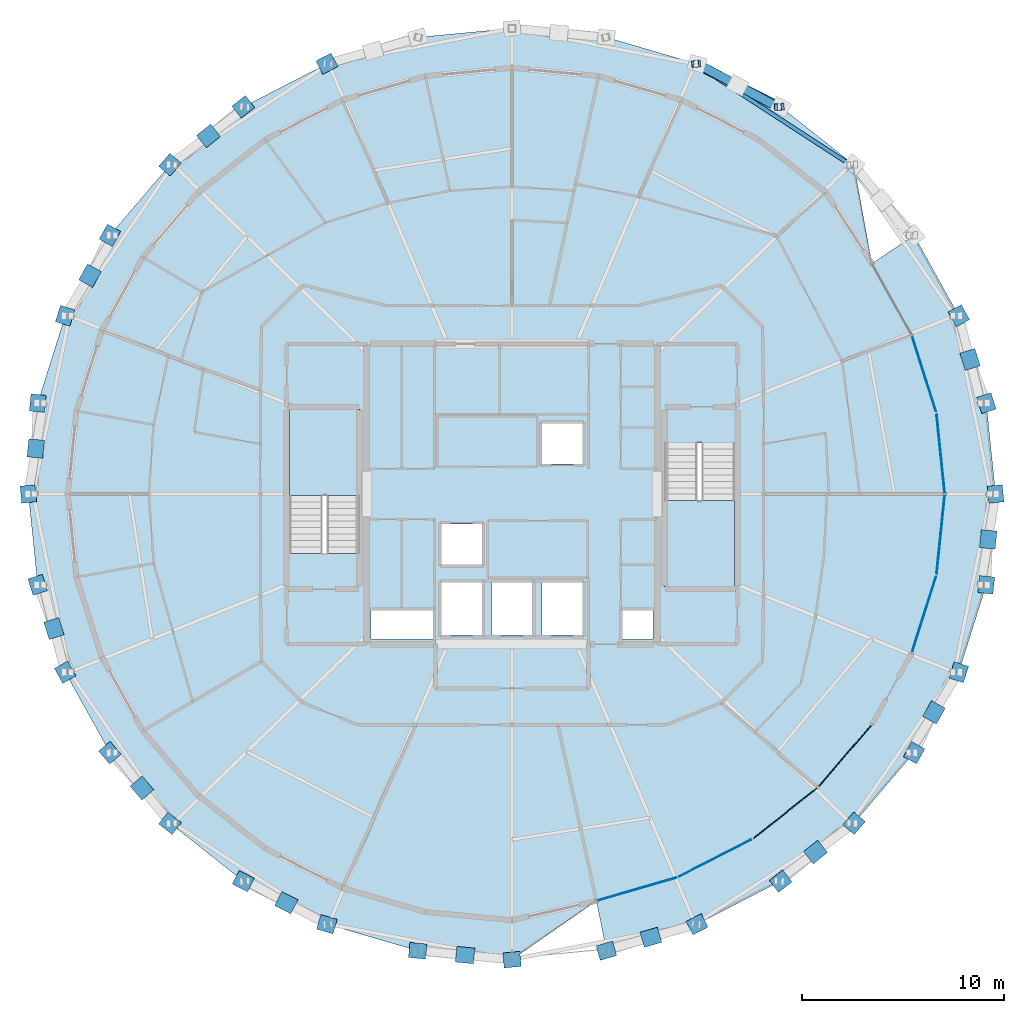
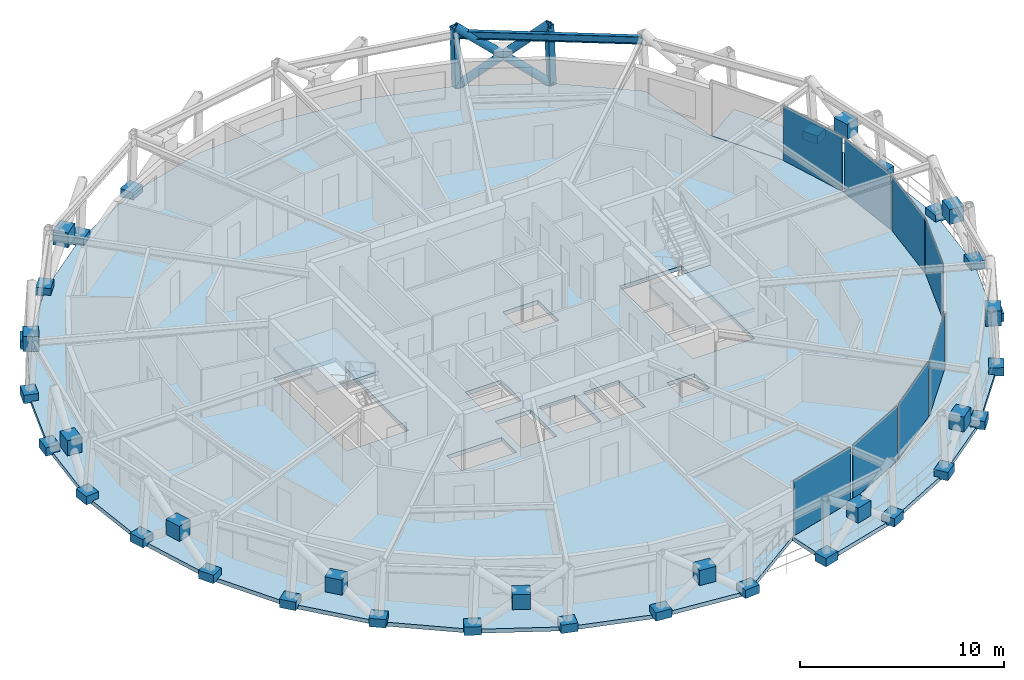
# One storey, part 10 of 17: 45 plates, 5 members, 4 slabs, 1 beam, 4 elements without a shape of their own.
"""IFC4 building model written with IfcOpenShell, lengths in metres."""

from ifc_helpers import new_model, si_unit, direction, frame, origin, origin_2d, place, context, subcontext, project, spatial, polyline, rectangle, hollow_rectangle, hollow_circle, i_section, outline, extrude, material, layer, layer_set, material_profile, profile_set, type_object, element, aggregate, save


model = new_model("IFC4")

# Units and contexts
model_context = context("Model", 3, precision=1e-05, world=origin(), true_north=direction((0.0, 1.0)))
body_context = subcontext(model_context, "Body", "Model", "MODEL_VIEW")
ifc_project = project(units=[si_unit("LENGTHUNIT", "METRE"), si_unit("AREAUNIT", "SQUARE_METRE"), si_unit("VOLUMEUNIT", "CUBIC_METRE"), si_unit("PLANEANGLEUNIT", "RADIAN"), si_unit("MASSUNIT", "GRAM", prefix="KILO")], contexts=[model_context])

# Site, building, storey
site_placement = place(None, origin())
site = spatial("IfcSite", under=ifc_project, at=site_placement, CompositionType="ELEMENT")
building_placement = place(site_placement, origin())
building = spatial("IfcBuilding", under=site, at=building_placement, Name="Veldorina Hangang Commons", CompositionType="ELEMENT")
storey_placement = place(building_placement, frame((0.0, 0.0, 236.39990234375)))
storey = spatial("IfcBuildingStorey", under=building, at=storey_placement, Name="L61", CompositionType="ELEMENT", Elevation=236.39990234375)

# Beam
ifc_material_1 = material(Name="Steel SM355-TMC", Category="steel")
ifc_material_profile_1 = material_profile(ifc_material_1, i_section(OverallWidth=0.199951171875, OverallDepth=0.449951171875, WebThickness=0.009033203125, FlangeThickness=0.013916015625, FilletRadius=0.01611328125, at=origin_2d()), Name="H-450x200x9x14")
ifc_profile_set_1 = profile_set([ifc_material_profile_1], Name="Steel SM355-TMC")
beam_type = type_object("IfcBeamType", Name="BM-RB450", PredefinedType="BEAM", material=ifc_profile_set_1)
beam_placement = place(storey_placement, frame((48.801025390625, 40.3310546875, 3.135009765625), z_axis=(-0.838643218797, 0.544681146696, 0.0), x_axis=(-0.544681146696, -0.838643218797, 0.0)))
element("IfcBeam", 1, at=beam_placement, inside=storey, type_object=beam_type, Name="L61 perimeter hoop ring beam 04", PredefinedType="BEAM", context=body_context, shape_type="SweptSolid", body=[
    extrude(i_section(OverallWidth=0.199951171875, OverallDepth=0.449951171875, WebThickness=0.009033203125, FlangeThickness=0.013916015625, FilletRadius=0.01611328125, at=origin_2d()), origin(), (0.0, 0.0, 1.0), 9.19140625),
])

# Members
ifc_material_profile_2 = material_profile(ifc_material_1, hollow_circle(Radius=0.22509765625, WallThickness=0.02197265625, at=origin_2d()), Name="CHS-450x22")
ifc_profile_set_2 = profile_set([ifc_material_profile_2], Name="Steel SM355-TMC")
member_type_1 = type_object("IfcMemberType", Name="DG-CHS450", PredefinedType="BRACE", material=ifc_profile_set_2)
member_1_placement = place(storey_placement, frame((45.33154296875, 43.2119140625, 0.0), z_axis=(-0.713137176084, 0.356220556464, 0.60377337076), x_axis=(-0.446864288165, -0.894601759423, 0.0)))
element("IfcMember", 2, at=member_1_placement, inside=storey, type_object=member_type_1, Name="L61 continuous perimeter diagrid brace 05", PredefinedType="BRACE", context=body_context, shape_type="SweptSolid", body=[
    extrude(hollow_circle(Radius=0.22509765625, WallThickness=0.02197265625, at=origin_2d()), origin(), (0.0, 0.0, 1.0), 5.962646484375),
])
member_2_placement = place(storey_placement, frame((41.18310546875, 45.347412109375, 0.0), z_axis=(0.691856889502, -0.367328676049, 0.621613777358), x_axis=(0.468935879767, 0.8832322122, 0.0)))
element("IfcMember", 3, at=member_2_placement, inside=storey, type_object=member_type_1, Name="L61 split perimeter diagrid lower brace 06", PredefinedType="BRACE", context=body_context, shape_type="SweptSolid", body=[
    extrude(hollow_circle(Radius=0.22509765625, WallThickness=0.02197265625, at=origin_2d()), origin(), (0.0, 0.0, 1.0), 2.9091796875),
])
member_3_placement = place(storey_placement, frame((43.19580078125, 44.27880859375, 1.808349609375), z_axis=(0.688640194548, -0.37353564906, 0.621486766821), x_axis=(0.476798431167, 0.879012659771, 0.0)))
element("IfcMember", 4, at=member_3_placement, inside=storey, type_object=member_type_1, Name="L61 split perimeter diagrid upper brace 06", PredefinedType="BRACE", context=body_context, shape_type="SweptSolid", body=[
    extrude(hollow_circle(Radius=0.22509765625, WallThickness=0.02197265625, at=origin_2d()), origin(), (0.0, 0.0, 1.0), 2.883056640625),
])
ifc_material_profile_3 = material_profile(ifc_material_1, hollow_rectangle(XDim=0.35009765625, YDim=0.35009765625, WallThickness=0.01611328125, at=origin_2d()), Name="SHS-350x350x16")
ifc_profile_set_3 = profile_set([ifc_material_profile_3], Name="Steel SM355-TMC")
member_type_2 = type_object("IfcMemberType", Name="STR-SHS350", PredefinedType="STRUT", material=ifc_profile_set_3)
member_4_placement = place(storey_placement, frame((45.33154296875, 43.2119140625, 0.0), z_axis=(-0.041737477683, -0.002777981469, 0.999124749856), x_axis=(0.066411501771, -0.997792319289, 0.0)))
element("IfcMember", 5, at=member_4_placement, inside=storey, type_object=member_type_2, Name="L61 perimeter ring node post 05", PredefinedType="STRUT", context=body_context, shape_type="SweptSolid", body=[
    extrude(hollow_rectangle(XDim=0.35009765625, YDim=0.35009765625, WallThickness=0.01611328125, at=origin_2d()), origin(), (0.0, 0.0, 1.0), 3.603271484375),
])
member_5_placement = place(storey_placement, frame((41.18310546875, 45.347412109375, 0.0), z_axis=(-0.028809265977, -0.003185965885, 0.999579849644), x_axis=(0.109918141714, -0.993940643158, 0.0)))
element("IfcMember", 6, at=member_5_placement, inside=storey, type_object=member_type_2, Name="L61 perimeter ring node post 06", PredefinedType="STRUT", context=body_context, shape_type="SweptSolid", body=[
    extrude(hollow_rectangle(XDim=0.35009765625, YDim=0.35009765625, WallThickness=0.01611328125, at=origin_2d()), origin(), (0.0, 0.0, 1.0), 3.6015625),
])

# Curtain wall, plates
ifc_material_2 = material(Name="Glass Low-E Selective", Category="glass")
ifc_layer_1 = layer(ifc_material_2, 0.179931640625)
ifc_layer_set_1 = layer_set([ifc_layer_1], Name="Glass Low-E Selective")
curtain_wall_type = type_object("IfcCurtainWallType", Name="CW-SYS-Z3", PredefinedType="NOTDEFINED", material=ifc_layer_set_1)
curtain_wall_1_placement = place(storey_placement, origin())
curtain_wall_1 = element("IfcCurtainWall", 7, at=curtain_wall_1_placement, inside=storey, type_object=curtain_wall_type, Name="L61 unitised curtain wall CW-L61-R1", PredefinedType="NOTDEFINED")
ifc_material_3 = material(Name="Glass Low-E Triple IGU", Category="glass")
ifc_layer_2 = layer(ifc_material_3, 0.0400390625)
ifc_layer_set_2 = layer_set([ifc_layer_2], Name="Glass Low-E Triple IGU")
plate_type_1 = type_object("IfcPlateType", Name="CW-PNL-VIS", PredefinedType="CURTAIN_PANEL", material=ifc_layer_set_2)
plate_1_placement = place(storey_placement, frame((38.2041015625, 4.395263671875, 0.01513671875), z_axis=(0.0, 0.0, 1.0), x_axis=(0.960235232855, 0.279192223358, 0.0)))
plate_1 = element("IfcPlate", 8, at=plate_1_placement, type_object=plate_type_1, Name="CW-L61-R1 facet 1 glazed vision panel", PredefinedType="CURTAIN_PANEL", context=body_context, shape_type="SweptSolid", body=[
    extrude(rectangle(XDim=4.015625, YDim=0.0400390625, at=origin_2d()), origin(), (0.0, 0.0, 1.0), 3.2900390625),
])
plate_2_placement = place(storey_placement, frame((42.0751953125, 5.93212890625, 0.01513671875), z_axis=(0.0, 0.0, 1.0), x_axis=(0.889982118595, 0.455995426053, 0.0)))
plate_2 = element("IfcPlate", 9, at=plate_2_placement, type_object=plate_type_1, Name="CW-L61-R1 facet 2 glazed vision panel", PredefinedType="CURTAIN_PANEL", context=body_context, shape_type="SweptSolid", body=[
    extrude(rectangle(XDim=3.991943359375, YDim=0.0400390625, at=origin_2d()), origin(), (0.0, 0.0, 1.0), 3.2900390625),
])
plate_3_placement = place(storey_placement, frame((45.558837890625, 8.163330078125, 0.01513671875), z_axis=(0.0, 0.0, 1.0), x_axis=(0.785954022843, 0.618284945617, 0.0)))
plate_3 = element("IfcPlate", 10, at=plate_3_placement, type_object=plate_type_1, Name="CW-L61-R1 facet 3 glazed vision panel", PredefinedType="CURTAIN_PANEL", context=body_context, shape_type="SweptSolid", body=[
    extrude(rectangle(XDim=3.960693359375, YDim=0.0400390625, at=origin_2d()), origin(), (0.0, 0.0, 1.0), 3.2900390625),
])
plate_4_placement = place(storey_placement, frame((48.521484375, 11.003173828125, 0.01513671875), z_axis=(0.0, 0.0, 1.0), x_axis=(0.650363316722, 0.75962329892, 0.0)))
plate_4 = element("IfcPlate", 11, at=plate_4_placement, type_object=plate_type_1, Name="CW-L61-R1 facet 4 glazed vision panel", PredefinedType="CURTAIN_PANEL", context=body_context, shape_type="SweptSolid", body=[
    extrude(rectangle(XDim=3.9267578125, YDim=0.0400390625, at=origin_2d()), origin(), (0.0, 0.0, 1.0), 3.2900390625),
])
aggregate(curtain_wall_1, [plate_1, plate_2, plate_3, plate_4])

curtain_wall_2_placement = place(storey_placement, origin())
curtain_wall_2 = element("IfcCurtainWall", 12, at=curtain_wall_2_placement, inside=storey, type_object=curtain_wall_type, Name="L61 unitised curtain wall CW-L61-R2", PredefinedType="NOTDEFINED")
plate_5_placement = place(storey_placement, frame((52.45263671875, 18.052978515625, 0.01513671875), z_axis=(0.0, 0.0, 1.0), x_axis=(0.301704364497, 0.953401529495, 0.0)))
plate_5 = element("IfcPlate", 13, at=plate_5_placement, type_object=plate_type_1, Name="CW-L61-R2 facet 1 glazed vision panel", PredefinedType="CURTAIN_PANEL", context=body_context, shape_type="SweptSolid", body=[
    extrude(rectangle(XDim=3.87060546875, YDim=0.0400390625, at=origin_2d()), origin(), (0.0, 0.0, 1.0), 3.2900390625),
])
plate_6_placement = place(storey_placement, frame((53.27001953125, 21.991943359375, 0.01513671875), z_axis=(0.0, 0.0, 1.0), x_axis=(0.102219612074, 0.994761856379, 0.0)))
plate_6 = element("IfcPlate", 14, at=plate_6_placement, type_object=plate_type_1, Name="CW-L61-R2 facet 2 glazed vision panel", PredefinedType="CURTAIN_PANEL", context=body_context, shape_type="SweptSolid", body=[
    extrude(rectangle(XDim=3.857177734375, YDim=0.0400390625, at=origin_2d()), origin(), (0.0, 0.0, 1.0), 3.2900390625),
])
plate_7_placement = place(storey_placement, frame((53.27001953125, 26.008056640625, 0.01513671875), z_axis=(0.0, 0.0, 1.0), x_axis=(-0.102219612074, 0.994761856379, 0.0)))
plate_7 = element("IfcPlate", 15, at=plate_7_placement, type_object=plate_type_1, Name="CW-L61-R2 facet 3 glazed vision panel", PredefinedType="CURTAIN_PANEL", context=body_context, shape_type="SweptSolid", body=[
    extrude(rectangle(XDim=3.857177734375, YDim=0.0400390625, at=origin_2d()), origin(), (0.0, 0.0, 1.0), 3.2900390625),
])
plate_8_placement = place(storey_placement, frame((52.45263671875, 29.947021484375, 0.01513671875), z_axis=(0.0, 0.0, 1.0), x_axis=(-0.301704364497, 0.953401529495, 0.0)))
plate_8 = element("IfcPlate", 16, at=plate_8_placement, type_object=plate_type_1, Name="CW-L61-R2 facet 4 glazed vision panel", PredefinedType="CURTAIN_PANEL", context=body_context, shape_type="SweptSolid", body=[
    extrude(rectangle(XDim=3.87060546875, YDim=0.0400390625, at=origin_2d()), origin(), (0.0, 0.0, 1.0), 3.2900390625),
])
aggregate(curtain_wall_2, [plate_5, plate_6, plate_7, plate_8])

# Plates
ifc_material_4 = material(Name="Steel SM460-TMC", Category="steel")
ifc_layer_3 = layer(ifc_material_4, 0.035888671875)
ifc_layer_set_3 = layer_set([ifc_layer_3], Name="Steel SM460-TMC")
plate_type_2 = type_object("IfcPlateType", Name="PL-STAR-36", PredefinedType="USERDEFINED", material=ifc_layer_set_3)
for number, where, z_axis, x_axis, name in (
    (17, (55.996337890625, 24.0, -0.08984375), (0.0, 0.0, 1.0), (-0.101750830261, 0.994809915784, 0.0), "L61 diagrid star-node gusset plate 00"),
    (18, (55.53515625, 28.5078125, -0.08984375), (0.0, 0.0, 1.0), (-0.300472753517, 0.953790398565, 0.0), "L61 diagrid star-node gusset plate 01"),
):
    element("IfcPlate", number, at=place(storey_placement, frame(where, z_axis=z_axis, x_axis=x_axis)), inside=storey, type_object=plate_type_2, Name=name, ObjectType="GUSSET PLATE", PredefinedType="USERDEFINED", context=body_context, shape_type="SweptSolid", body=[
        extrude(rectangle(XDim=0.85009765625, YDim=0.75, at=origin_2d()), origin(), (0.0, 0.0, 1.0), 0.5),
    ])
plate_9_placement = place(storey_placement, frame((54.726806640625, 30.67431640625, 1.3515625), z_axis=(0.0, 0.0, 1.0), x_axis=(-0.300472753517, 0.953790398565, 0.0)))
element("IfcPlate", 19, at=plate_9_placement, inside=storey, type_object=plate_type_2, Name="L61 diagrid X-crossing star-node gusset plate 01", ObjectType="GUSSET PLATE", PredefinedType="USERDEFINED", context=body_context, shape_type="SweptSolid", body=[
    extrude(rectangle(XDim=0.89990234375, YDim=0.780029296875, at=origin_2d()), origin(), (0.0, 0.0, 1.0), 0.89990234375),
])
for number, where, z_axis, x_axis, name in (
    (20, (54.169677734375, 32.84228515625, -0.08984375), (0.0, 0.0, 1.0), (-0.485343804534, 0.874323390629, 0.0), "L61 diagrid star-node gusset plate 02"),
    (21, (22.81689453125, 45.347412109375, -0.08984375), (0.0, 0.0, 1.0), (-0.889136982129, -0.457641155285, 0.0), "L61 diagrid star-node gusset plate 10"),
    (22, (18.66845703125, 43.2119140625, -0.08984375), (0.0, 0.0, 1.0), (-0.784592443852, -0.620011852347, 0.0), "L61 diagrid star-node gusset plate 11"),
):
    element("IfcPlate", number, at=place(storey_placement, frame(where, z_axis=z_axis, x_axis=x_axis)), inside=storey, type_object=plate_type_2, Name=name, ObjectType="GUSSET PLATE", PredefinedType="USERDEFINED", context=body_context, shape_type="SweptSolid", body=[
        extrude(rectangle(XDim=0.85009765625, YDim=0.75, at=origin_2d()), origin(), (0.0, 0.0, 1.0), 0.5),
    ])
plate_10_placement = place(storey_placement, frame((16.939697265625, 41.765869140625, 1.3564453125), z_axis=(0.0, 0.0, 1.0), x_axis=(-0.784592443852, -0.620011852347, 0.0)))
element("IfcPlate", 23, at=plate_10_placement, inside=storey, type_object=plate_type_2, Name="L61 diagrid X-crossing star-node gusset plate 11", ObjectType="GUSSET PLATE", PredefinedType="USERDEFINED", context=body_context, shape_type="SweptSolid", body=[
    extrude(rectangle(XDim=0.89990234375, YDim=0.780029296875, at=origin_2d()), origin(), (0.0, 0.0, 1.0), 0.89990234375),
])
for number, where, z_axis, x_axis, name in (
    (24, (15.031982421875, 40.33837890625, -0.08984375), (0.0, 0.0, 1.0), (-0.648664680463, -0.761074327724, 0.0), "L61 diagrid star-node gusset plate 12"),
    (25, (12.0478515625, 36.837158203125, -0.08984375), (0.0, 0.0, 1.0), (-0.485343804534, -0.874323390629, 0.0), "L61 diagrid star-node gusset plate 13"),
):
    element("IfcPlate", number, at=place(storey_placement, frame(where, z_axis=z_axis, x_axis=x_axis)), inside=storey, type_object=plate_type_2, Name=name, ObjectType="GUSSET PLATE", PredefinedType="USERDEFINED", context=body_context, shape_type="SweptSolid", body=[
        extrude(rectangle(XDim=0.85009765625, YDim=0.75, at=origin_2d()), origin(), (0.0, 0.0, 1.0), 0.5),
    ])
plate_11_placement = place(storey_placement, frame((11.062744140625, 34.834228515625, 1.35302734375), z_axis=(0.0, 0.0, 1.0), x_axis=(-0.485343804534, -0.874323390629, 0.0)))
element("IfcPlate", 26, at=plate_11_placement, inside=storey, type_object=plate_type_2, Name="L61 diagrid X-crossing star-node gusset plate 13", ObjectType="GUSSET PLATE", PredefinedType="USERDEFINED", context=body_context, shape_type="SweptSolid", body=[
    extrude(rectangle(XDim=0.89990234375, YDim=0.780029296875, at=origin_2d()), origin(), (0.0, 0.0, 1.0), 0.89990234375),
])
for number, where, z_axis, x_axis, name in (
    (27, (9.830322265625, 32.84228515625, -0.08984375), (0.0, 0.0, 1.0), (-0.300472753517, -0.953790398565, 0.0), "L61 diagrid star-node gusset plate 14"),
    (28, (8.46484375, 28.5078125, -0.08984375), (0.0, 0.0, 1.0), (-0.101750830261, -0.994809915784, 0.0), "L61 diagrid star-node gusset plate 15"),
):
    element("IfcPlate", number, at=place(storey_placement, frame(where, z_axis=z_axis, x_axis=x_axis)), inside=storey, type_object=plate_type_2, Name=name, ObjectType="GUSSET PLATE", PredefinedType="USERDEFINED", context=body_context, shape_type="SweptSolid", body=[
        extrude(rectangle(XDim=0.85009765625, YDim=0.75, at=origin_2d()), origin(), (0.0, 0.0, 1.0), 0.5),
    ])
plate_12_placement = place(storey_placement, frame((8.36962890625, 26.253173828125, 1.350830078125), z_axis=(0.0, 0.0, 1.0), x_axis=(-0.101750830261, -0.994809915784, 0.0)))
element("IfcPlate", 29, at=plate_12_placement, inside=storey, type_object=plate_type_2, Name="L61 diagrid X-crossing star-node gusset plate 15", ObjectType="GUSSET PLATE", PredefinedType="USERDEFINED", context=body_context, shape_type="SweptSolid", body=[
    extrude(rectangle(XDim=0.89990234375, YDim=0.780029296875, at=origin_2d()), origin(), (0.0, 0.0, 1.0), 0.89990234375),
])
for number, where, z_axis, x_axis, name in (
    (30, (8.003662109375, 24.0, -0.08984375), (0.0, 0.0, 1.0), (0.101750830261, -0.994809915784, 0.0), "L61 diagrid star-node gusset plate 16"),
    (31, (8.46484375, 19.4921875, -0.08984375), (0.0, 0.0, 1.0), (0.300472753517, -0.953790398565, 0.0), "L61 diagrid star-node gusset plate 17"),
):
    element("IfcPlate", number, at=place(storey_placement, frame(where, z_axis=z_axis, x_axis=x_axis)), inside=storey, type_object=plate_type_2, Name=name, ObjectType="GUSSET PLATE", PredefinedType="USERDEFINED", context=body_context, shape_type="SweptSolid", body=[
        extrude(rectangle(XDim=0.85009765625, YDim=0.75, at=origin_2d()), origin(), (0.0, 0.0, 1.0), 0.5),
    ])
plate_13_placement = place(storey_placement, frame((9.273193359375, 17.32568359375, 1.3515625), z_axis=(0.0, 0.0, 1.0), x_axis=(0.300472753517, -0.953790398565, 0.0)))
element("IfcPlate", 32, at=plate_13_placement, inside=storey, type_object=plate_type_2, Name="L61 diagrid X-crossing star-node gusset plate 17", ObjectType="GUSSET PLATE", PredefinedType="USERDEFINED", context=body_context, shape_type="SweptSolid", body=[
    extrude(rectangle(XDim=0.89990234375, YDim=0.780029296875, at=origin_2d()), origin(), (0.0, 0.0, 1.0), 0.89990234375),
])
for number, where, z_axis, x_axis, name in (
    (33, (9.830322265625, 15.15771484375, -0.08984375), (0.0, 0.0, 1.0), (0.485343804534, -0.874323390629, 0.0), "L61 diagrid star-node gusset plate 18"),
    (34, (12.0478515625, 11.162841796875, -0.08984375), (0.0, 0.0, 1.0), (0.648664680463, -0.761074327724, 0.0), "L61 diagrid star-node gusset plate 19"),
):
    element("IfcPlate", number, at=place(storey_placement, frame(where, z_axis=z_axis, x_axis=x_axis)), inside=storey, type_object=plate_type_2, Name=name, ObjectType="GUSSET PLATE", PredefinedType="USERDEFINED", context=body_context, shape_type="SweptSolid", body=[
        extrude(rectangle(XDim=0.85009765625, YDim=0.75, at=origin_2d()), origin(), (0.0, 0.0, 1.0), 0.5),
    ])
plate_14_placement = place(storey_placement, frame((13.6396484375, 9.412109375, 1.354736328125), z_axis=(0.0, 0.0, 1.0), x_axis=(0.648664680463, -0.761074327724, 0.0)))
element("IfcPlate", 35, at=plate_14_placement, inside=storey, type_object=plate_type_2, Name="L61 diagrid X-crossing star-node gusset plate 19", ObjectType="GUSSET PLATE", PredefinedType="USERDEFINED", context=body_context, shape_type="SweptSolid", body=[
    extrude(rectangle(XDim=0.89990234375, YDim=0.780029296875, at=origin_2d()), origin(), (0.0, 0.0, 1.0), 0.89990234375),
])
for number, where, z_axis, x_axis, name in (
    (36, (15.031982421875, 7.66162109375, -0.08984375), (0.0, 0.0, 1.0), (0.784592443852, -0.620011852347, 0.0), "L61 diagrid star-node gusset plate 20"),
    (37, (18.66845703125, 4.7880859375, -0.08984375), (0.0, 0.0, 1.0), (0.889136982129, -0.457641155285, 0.0), "L61 diagrid star-node gusset plate 21"),
):
    element("IfcPlate", number, at=place(storey_placement, frame(where, z_axis=z_axis, x_axis=x_axis)), inside=storey, type_object=plate_type_2, Name=name, ObjectType="GUSSET PLATE", PredefinedType="USERDEFINED", context=body_context, shape_type="SweptSolid", body=[
        extrude(rectangle(XDim=0.85009765625, YDim=0.75, at=origin_2d()), origin(), (0.0, 0.0, 1.0), 0.5),
    ])
plate_15_placement = place(storey_placement, frame((20.80419921875, 3.72119140625, 1.3583984375), z_axis=(0.0, 0.0, 1.0), x_axis=(0.889136982129, -0.457641155285, 0.0)))
element("IfcPlate", 38, at=plate_15_placement, inside=storey, type_object=plate_type_2, Name="L61 diagrid X-crossing star-node gusset plate 21", ObjectType="GUSSET PLATE", PredefinedType="USERDEFINED", context=body_context, shape_type="SweptSolid", body=[
    extrude(rectangle(XDim=0.89990234375, YDim=0.780029296875, at=origin_2d()), origin(), (0.0, 0.0, 1.0), 0.89990234375),
])
for number, where, z_axis, x_axis, name in (
    (39, (22.81689453125, 2.652587890625, -0.08984375), (0.0, 0.0, 1.0), (0.959893418656, -0.28036516335, 0.0), "L61 diagrid star-node gusset plate 22"),
    (40, (27.318603515625, 1.337890625, -0.08984375), (0.0, 0.0, 1.0), (0.995532350476, -0.094421073685, 0.0), "L61 diagrid star-node gusset plate 23"),
):
    element("IfcPlate", number, at=place(storey_placement, frame(where, z_axis=z_axis, x_axis=x_axis)), inside=storey, type_object=plate_type_2, Name=name, ObjectType="GUSSET PLATE", PredefinedType="USERDEFINED", context=body_context, shape_type="SweptSolid", body=[
        extrude(rectangle(XDim=0.85009765625, YDim=0.75, at=origin_2d()), origin(), (0.0, 0.0, 1.0), 0.5),
    ])
plate_16_placement = place(storey_placement, frame((29.672607421875, 1.120849609375, 1.3603515625), z_axis=(0.0, 0.0, 1.0), x_axis=(0.995532350476, -0.094421073685, 0.0)))
element("IfcPlate", 41, at=plate_16_placement, inside=storey, type_object=plate_type_2, Name="L61 diagrid X-crossing star-node gusset plate 23", ObjectType="GUSSET PLATE", PredefinedType="USERDEFINED", context=body_context, shape_type="SweptSolid", body=[
    extrude(rectangle(XDim=0.89990234375, YDim=0.780029296875, at=origin_2d()), origin(), (0.0, 0.0, 1.0), 0.89990234375),
])
for number, where, z_axis, x_axis, name in (
    (42, (32.0, 0.893798828125, -0.08984375), (0.0, 0.0, 1.0), (0.995532350476, 0.094421073685, 0.0), "L61 diagrid star-node gusset plate 24"),
    (43, (36.681396484375, 1.337890625, -0.08984375), (0.0, 0.0, 1.0), (0.959893418656, 0.28036516335, 0.0), "L61 diagrid star-node gusset plate 25"),
):
    element("IfcPlate", number, at=place(storey_placement, frame(where, z_axis=z_axis, x_axis=x_axis)), inside=storey, type_object=plate_type_2, Name=name, ObjectType="GUSSET PLATE", PredefinedType="USERDEFINED", context=body_context, shape_type="SweptSolid", body=[
        extrude(rectangle(XDim=0.85009765625, YDim=0.75, at=origin_2d()), origin(), (0.0, 0.0, 1.0), 0.5),
    ])
plate_17_placement = place(storey_placement, frame((38.891845703125, 2.00439453125, 1.359619140625), z_axis=(0.0, 0.0, 1.0), x_axis=(0.959893418656, 0.28036516335, 0.0)))
element("IfcPlate", 44, at=plate_17_placement, inside=storey, type_object=plate_type_2, Name="L61 diagrid X-crossing star-node gusset plate 25", ObjectType="GUSSET PLATE", PredefinedType="USERDEFINED", context=body_context, shape_type="SweptSolid", body=[
    extrude(rectangle(XDim=0.89990234375, YDim=0.780029296875, at=origin_2d()), origin(), (0.0, 0.0, 1.0), 0.89990234375),
])
for number, where, z_axis, x_axis, name in (
    (45, (41.18310546875, 2.652587890625, -0.08984375), (0.0, 0.0, 1.0), (0.889136982129, 0.457641155285, 0.0), "L61 diagrid star-node gusset plate 26"),
    (46, (45.33154296875, 4.7880859375, -0.08984375), (0.0, 0.0, 1.0), (0.784592443852, 0.620011852347, 0.0), "L61 diagrid star-node gusset plate 27"),
):
    element("IfcPlate", number, at=place(storey_placement, frame(where, z_axis=z_axis, x_axis=x_axis)), inside=storey, type_object=plate_type_2, Name=name, ObjectType="GUSSET PLATE", PredefinedType="USERDEFINED", context=body_context, shape_type="SweptSolid", body=[
        extrude(rectangle(XDim=0.85009765625, YDim=0.75, at=origin_2d()), origin(), (0.0, 0.0, 1.0), 0.5),
    ])
plate_18_placement = place(storey_placement, frame((47.060302734375, 6.234130859375, 1.3564453125), z_axis=(0.0, 0.0, 1.0), x_axis=(0.784592443852, 0.620011852347, 0.0)))
element("IfcPlate", 47, at=plate_18_placement, inside=storey, type_object=plate_type_2, Name="L61 diagrid X-crossing star-node gusset plate 27", ObjectType="GUSSET PLATE", PredefinedType="USERDEFINED", context=body_context, shape_type="SweptSolid", body=[
    extrude(rectangle(XDim=0.89990234375, YDim=0.780029296875, at=origin_2d()), origin(), (0.0, 0.0, 1.0), 0.89990234375),
])
for number, where, z_axis, x_axis, name in (
    (48, (48.968017578125, 7.66162109375, -0.08984375), (0.0, 0.0, 1.0), (0.648664680463, 0.761074327724, 0.0), "L61 diagrid star-node gusset plate 28"),
    (49, (51.9521484375, 11.162841796875, -0.08984375), (0.0, 0.0, 1.0), (0.485343804534, 0.874323390629, 0.0), "L61 diagrid star-node gusset plate 29"),
):
    element("IfcPlate", number, at=place(storey_placement, frame(where, z_axis=z_axis, x_axis=x_axis)), inside=storey, type_object=plate_type_2, Name=name, ObjectType="GUSSET PLATE", PredefinedType="USERDEFINED", context=body_context, shape_type="SweptSolid", body=[
        extrude(rectangle(XDim=0.85009765625, YDim=0.75, at=origin_2d()), origin(), (0.0, 0.0, 1.0), 0.5),
    ])
plate_19_placement = place(storey_placement, frame((52.937255859375, 13.165771484375, 1.35302734375), z_axis=(0.0, 0.0, 1.0), x_axis=(0.485343804534, 0.874323390629, 0.0)))
element("IfcPlate", 50, at=plate_19_placement, inside=storey, type_object=plate_type_2, Name="L61 diagrid X-crossing star-node gusset plate 29", ObjectType="GUSSET PLATE", PredefinedType="USERDEFINED", context=body_context, shape_type="SweptSolid", body=[
    extrude(rectangle(XDim=0.89990234375, YDim=0.780029296875, at=origin_2d()), origin(), (0.0, 0.0, 1.0), 0.89990234375),
])
for number, where, z_axis, x_axis, name in (
    (51, (54.169677734375, 15.15771484375, -0.08984375), (0.0, 0.0, 1.0), (0.300472753517, 0.953790398565, 0.0), "L61 diagrid star-node gusset plate 30"),
    (52, (55.53515625, 19.4921875, -0.08984375), (0.0, 0.0, 1.0), (0.101750830261, 0.994809915784, 0.0), "L61 diagrid star-node gusset plate 31"),
):
    element("IfcPlate", number, at=place(storey_placement, frame(where, z_axis=z_axis, x_axis=x_axis)), inside=storey, type_object=plate_type_2, Name=name, ObjectType="GUSSET PLATE", PredefinedType="USERDEFINED", context=body_context, shape_type="SweptSolid", body=[
        extrude(rectangle(XDim=0.85009765625, YDim=0.75, at=origin_2d()), origin(), (0.0, 0.0, 1.0), 0.5),
    ])
plate_20_placement = place(storey_placement, frame((55.63037109375, 21.746826171875, 1.350830078125), z_axis=(0.0, 0.0, 1.0), x_axis=(0.101750830261, 0.994809915784, 0.0)))
element("IfcPlate", 53, at=plate_20_placement, inside=storey, type_object=plate_type_2, Name="L61 diagrid X-crossing star-node gusset plate 31", ObjectType="GUSSET PLATE", PredefinedType="USERDEFINED", context=body_context, shape_type="SweptSolid", body=[
    extrude(rectangle(XDim=0.89990234375, YDim=0.780029296875, at=origin_2d()), origin(), (0.0, 0.0, 1.0), 0.89990234375),
])

# Slabs
ifc_material_5 = material(Name="Concrete C40/50", Category="concrete")
ifc_layer_4 = layer(ifc_material_5, 0.239990234375)
ifc_layer_set_4 = layer_set([ifc_layer_4], Name="Concrete C40/50")
slab_type_1 = type_object("IfcSlabType", Name="SL-FLR-240", PredefinedType="FLOOR", material=ifc_layer_set_4)
slab_1_placement = place(storey_placement, frame((0.0, 0.0, -0.239990234375)))
element("IfcSlab", 54, at=slab_1_placement, inside=storey, type_object=slab_type_1, Name="L61 tower structural floor slab", PredefinedType="FLOOR", context=body_context, shape_type="SweptSolid", body=[
    extrude(outline(polyline([(53.476318359375, 24.0), (53.063720703125, 28.01611328125), (51.841552734375, 31.8779296875), (49.85693359375, 35.43701171875), (48.968017578125, 40.33837890625), (45.33154296875, 43.2119140625), (41.18310546875, 45.347412109375), (36.681396484375, 46.662109375), (32.0, 47.106201171875), (27.318603515625, 46.662109375), (22.81689453125, 45.347412109375), (18.66845703125, 43.2119140625), (15.031982421875, 40.33837890625), (12.0478515625, 36.837158203125), (9.830322265625, 32.84228515625), (8.46484375, 28.5078125), (8.003662109375, 24.0), (8.46484375, 19.4921875), (9.830322265625, 15.15771484375), (12.0478515625, 11.162841796875), (15.031982421875, 7.66162109375), (18.66845703125, 4.7880859375), (22.81689453125, 2.652587890625), (27.318603515625, 1.337890625), (32.0, 0.893798828125), (36.189697265625, 3.8095703125), (40.218505859375, 4.98095703125), (43.931640625, 6.88330078125), (47.18603515625, 9.443359375), (49.85693359375, 12.56298828125), (51.841552734375, 16.1220703125), (53.063720703125, 19.98388671875), (53.476318359375, 24.0)]), holes=[polyline([(20.949951171875, 21.05810546875), (20.949951171875, 28.199951171875), (24.449951171875, 28.199951171875), (24.449951171875, 21.05810546875), (20.949951171875, 21.05810546875)]), polyline([(43.050048828125, 26.5419921875), (43.050048828125, 19.39990234375), (39.550048828125, 19.39990234375), (39.550048828125, 26.5419921875), (43.050048828125, 26.5419921875)]), polyline([(33.5, 27.5), (35.5, 27.5), (35.5, 25.5), (33.5, 25.5), (33.5, 27.5)]), polyline([(28.5, 22.5), (30.5, 22.5), (30.5, 20.5), (28.5, 20.5), (28.5, 22.5)]), polyline([(28.5, 19.60009765625), (30.5, 19.60009765625), (30.5, 17.0), (28.5, 17.0), (28.5, 19.60009765625)]), polyline([(31.0, 19.60009765625), (33.0, 19.60009765625), (33.0, 17.0), (31.0, 17.0), (31.0, 19.60009765625)]), polyline([(33.5, 19.60009765625), (35.5, 19.60009765625), (35.5, 17.0), (33.5, 17.0), (33.5, 19.60009765625)]), polyline([(25.0, 18.25), (28.10009765625, 18.25), (28.10009765625, 16.800048828125), (25.0, 16.800048828125), (25.0, 18.25)]), polyline([(37.449951171875, 18.25), (39.0, 18.25), (39.0, 16.800048828125), (37.449951171875, 16.800048828125), (37.449951171875, 18.25)])]), origin(), (0.0, 0.0, 1.0), 0.239990234375),
])
slab_2_placement = place(storey_placement, frame((0.0, 0.0, -0.239990234375)))
element("IfcSlab", 55, at=slab_2_placement, inside=storey, type_object=slab_type_1, Name="L61 sky-garden loggia outdoor slab", PredefinedType="FLOOR", context=body_context, shape_type="SweptSolid", body=[
    extrude(outline(polyline([(51.9521484375, 36.837158203125), (54.169677734375, 32.84228515625), (55.53515625, 28.5078125), (55.996337890625, 24.0), (55.53515625, 19.4921875), (54.169677734375, 15.15771484375), (51.9521484375, 11.162841796875), (48.968017578125, 7.66162109375), (45.33154296875, 4.7880859375), (41.18310546875, 2.652587890625), (36.681396484375, 1.337890625), (36.193115234375, 3.79345703125), (36.1962890625, 3.7958984375), (40.222900390625, 4.966552734375), (40.22412109375, 4.967041015625), (40.225341796875, 4.967529296875), (43.9384765625, 6.8701171875), (43.939697265625, 6.87060546875), (43.94091796875, 6.87158203125), (47.1953125, 9.431640625), (47.1962890625, 9.4326171875), (47.197509765625, 9.43359375), (49.868408203125, 12.55322265625), (49.869140625, 12.554443359375), (49.8701171875, 12.5556640625), (51.8544921875, 16.11474609375), (51.855224609375, 16.1162109375), (51.855712890625, 16.117431640625), (53.077880859375, 19.9794921875), (53.078369140625, 19.98095703125), (53.07861328125, 19.982421875), (53.4912109375, 23.99853515625), (53.4912109375, 24.0), (53.4912109375, 24.00146484375), (53.07861328125, 28.017578125), (53.078369140625, 28.01904296875), (53.077880859375, 28.0205078125), (51.855712890625, 31.882568359375), (51.855224609375, 31.8837890625), (51.8544921875, 31.88525390625), (49.87109375, 35.442138671875), (49.87060546875, 35.446044921875), (51.9521484375, 36.837158203125)])), origin(), (0.0, 0.0, 1.0), 0.239990234375),
])

# Stair, slab
stair_type = type_object("IfcStairType", Name="STR-DOG-1650-20R", PredefinedType="HALF_TURN_STAIR", material=ifc_material_5)
stair_1_placement = place(storey_placement, origin())
stair_1 = element("IfcStair", 56, at=stair_1_placement, inside=storey, type_object=stair_type, Name="L61 Exit stair ST-1", PredefinedType="HALF_TURN_STAIR")
ifc_layer_5 = layer(ifc_material_5, 0.199951171875)
ifc_layer_set_5 = layer_set([ifc_layer_5], Name="Concrete C40/50")
slab_type_2 = type_object("IfcSlabType", Name="SL-LND-200", PredefinedType="LANDING", material=ifc_layer_set_5)
slab_3_placement = place(storey_placement, frame((0.0, 0.0, 1.60009765625)))
slab_3 = element("IfcSlab", 57, at=slab_3_placement, type_object=slab_type_2, Name="ST-1 landing 1", PredefinedType="LANDING", context=body_context, shape_type="SweptSolid", body=[
    extrude(outline(polyline([(24.449951171875, 23.929931640625), (24.449951171875, 28.199951171875), (20.949951171875, 28.199951171875), (20.949951171875, 23.929931640625), (24.449951171875, 23.929931640625)])), origin(), (0.0, 0.0, 1.0), 0.199951171875),
])
aggregate(stair_1, [slab_3])

stair_2_placement = place(storey_placement, origin())
stair_2 = element("IfcStair", 58, at=stair_2_placement, inside=storey, type_object=stair_type, Name="L61 Exit stair ST-2", PredefinedType="HALF_TURN_STAIR")
slab_4_placement = place(storey_placement, frame((0.0, 0.0, 1.60009765625)))
slab_4 = element("IfcSlab", 59, at=slab_4_placement, type_object=slab_type_2, Name="ST-2 landing 1", PredefinedType="LANDING", context=body_context, shape_type="SweptSolid", body=[
    extrude(outline(polyline([(39.550048828125, 23.669921875), (39.550048828125, 19.39990234375), (43.050048828125, 19.39990234375), (43.050048828125, 23.669921875), (39.550048828125, 23.669921875)])), origin(), (0.0, 0.0, 1.0), 0.199951171875),
])
aggregate(stair_2, [slab_4])

save(model, "model.ifc")
